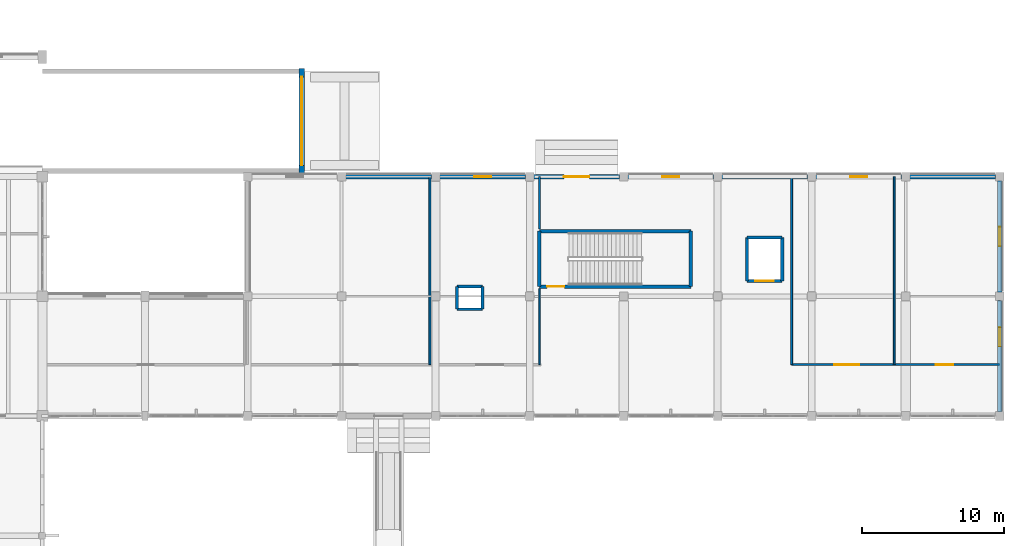
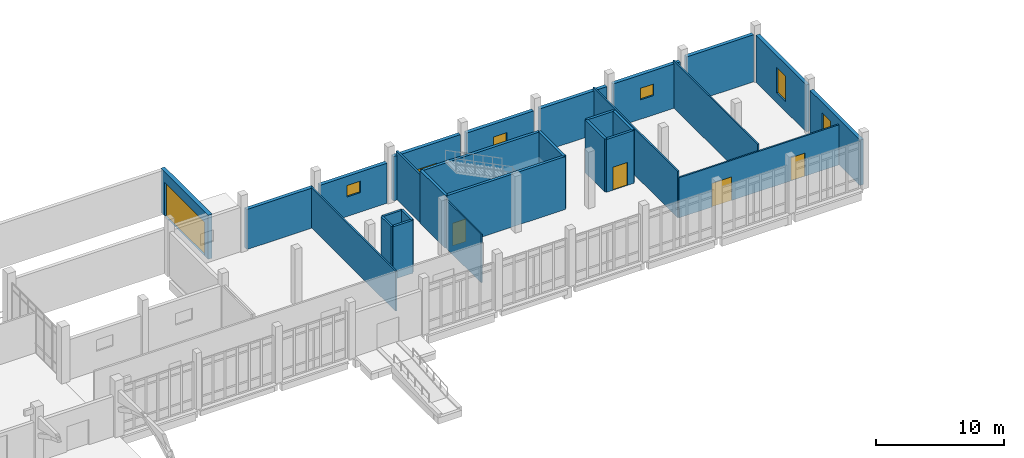
# One storey, part 97 of 110: 28 walls, 6 doors, 5 windows, 11 openings.
"""IFC4 building model written with IfcOpenShell, lengths in metres."""

from ifc_helpers import new_model, si_unit, direction, frame, frame_2d, origin, place, context, subcontext, project, spatial, rectangle, extrude, material, layer, layer_set, type_object, element, fill, save


model = new_model("IFC4")

# Units and contexts
model_context = context("Model", 3, precision=1e-05, world=origin(), true_north=direction((0.0, 1.0)))
body_context = subcontext(model_context, "Body", "Model", "MODEL_VIEW")
ifc_project = project(units=[si_unit("LENGTHUNIT", "METRE"), si_unit("AREAUNIT", "SQUARE_METRE"), si_unit("VOLUMEUNIT", "CUBIC_METRE"), si_unit("PLANEANGLEUNIT", "RADIAN"), si_unit("MASSUNIT", "GRAM", prefix="KILO")], contexts=[model_context])

# Site, building, storey
site_placement = place(None, origin())
site = spatial("IfcSite", under=ifc_project, at=site_placement, CompositionType="ELEMENT")
building_placement = place(site_placement, origin())
building = spatial("IfcBuilding", under=site, at=building_placement, Name="Kalluvel Institute of Natural Sciences", CompositionType="ELEMENT")
storey_placement = place(building_placement, origin())
storey = spatial("IfcBuildingStorey", under=building, at=storey_placement, Name="L00", CompositionType="ELEMENT", Elevation=0.0)

# Wall, opening, door
ifc_material_1 = material(Name="Concrete M40", Category="concrete")
ifc_layer_1 = layer(ifc_material_1, 0.25)
ifc_layer_set_1 = layer_set([ifc_layer_1], Name="Concrete M40")
wall_type_1 = type_object("IfcWallType", Name="WL-CORE-250", PredefinedType="SHEAR", material=ifc_layer_set_1)
wall_1_placement = place(storey_placement, frame((149.68505859375, 111.885009765625, 0.0), z_axis=(0.0, 0.0, 1.0), x_axis=(1.0, 0.0, 0.0)))
wall_1 = element("IfcWall", 1, at=wall_1_placement, inside=storey, type_object=wall_type_1, Name="ST5 L00 core wall S", PredefinedType="SHEAR", context=body_context, shape_type="SweptSolid", body=[
    extrude(rectangle(XDim=10.6298828125, YDim=0.25, at=frame_2d((5.31494140625, 0.0))), origin(), (0.0, 0.0, 1.0), 5.034912109375),
])
opening_1_placement = place(wall_1_placement, frame((0.550048828125, 0.0, 0.0)))
opening_1 = element("IfcOpeningElement", 2, at=opening_1_placement, cuts=wall_1, Name="Opening DS-044", PredefinedType="OPENING", context=body_context, shape_type="SweptSolid", body=[
    extrude(rectangle(XDim=1.199951171875, YDim=2.14990234375, at=frame_2d((0.60009765625, 1.074951171875))), frame((0.0, 0.135009765625, 0.0), z_axis=(0.0, -1.0, 0.0), x_axis=(1.0, 0.0, 0.0)), (0.0, 0.0, 1.0), 0.27001953125),
])
ifc_material_2 = material(Name="Galvanized Fire-Rated Steel", Category="steel")
door_type_1 = type_object("IfcDoorType", Name="DR-ST-1200", OperationType="NOTDEFINED", PredefinedType="DOOR", material=ifc_material_2)
door_1_placement = place(opening_1_placement, origin())
door_1 = element("IfcDoor", 3, at=door_1_placement, inside=storey, type_object=door_type_1, Name="ST5 L00 protected stair door DS-044", OperationType="SINGLE_SWING_RIGHT", OverallHeight=2.14990234375, OverallWidth=1.199951171875, PredefinedType="DOOR", context=body_context, shape_type="SweptSolid", body=[
    extrude(rectangle(XDim=1.199951171875, YDim=2.14990234375, at=frame_2d((0.60009765625, 1.074951171875))), frame((0.0, 0.02490234375, 0.0), z_axis=(0.0, -1.0, 0.0), x_axis=(1.0, 0.0, 0.0)), (0.0, 0.0, 1.0), 0.050048828125),
])
fill(opening_1, door_1)

# Walls
wall_2_placement = place(storey_placement, frame((160.31494140625, 111.885009765625, 0.0), z_axis=(0.0, 0.0, 1.0), x_axis=(0.0, 1.0, 0.0)))
element("IfcWall", 4, at=wall_2_placement, inside=storey, type_object=wall_type_1, Name="ST5 L00 core wall E", PredefinedType="SHEAR", context=body_context, shape_type="SweptSolid", body=[
    extrude(rectangle(XDim=3.89990234375, YDim=0.25, at=frame_2d((1.949951171875, 0.0))), origin(), (0.0, 0.0, 1.0), 5.034912109375),
])
wall_3_placement = place(storey_placement, frame((160.31494140625, 115.784912109375, 0.0), z_axis=(0.0, 0.0, 1.0), x_axis=(-1.0, 0.0, 0.0)))
element("IfcWall", 5, at=wall_3_placement, inside=storey, type_object=wall_type_1, Name="ST5 L00 core wall N", PredefinedType="SHEAR", context=body_context, shape_type="SweptSolid", body=[
    extrude(rectangle(XDim=10.6298828125, YDim=0.25, at=frame_2d((5.31494140625, 0.0))), origin(), (0.0, 0.0, 1.0), 5.034912109375),
])
wall_4_placement = place(storey_placement, frame((149.68505859375, 115.784912109375, 0.0), z_axis=(0.0, 0.0, 1.0), x_axis=(0.0, -1.0, 0.0)))
element("IfcWall", 6, at=wall_4_placement, inside=storey, type_object=wall_type_1, Name="ST5 L00 core wall W", PredefinedType="SHEAR", context=body_context, shape_type="SweptSolid", body=[
    extrude(rectangle(XDim=3.89990234375, YDim=0.25, at=frame_2d((1.949951171875, 0.0))), origin(), (0.0, 0.0, 1.0), 5.034912109375),
])
ifc_material_3 = material(Name="Sadarahalli Grey Granite Ashlar Concrete M40", Category="masonry")
ifc_layer_2 = layer(ifc_material_3, 0.320068359375)
ifc_layer_set_2 = layer_set([ifc_layer_2], Name="Sadarahalli Grey Granite Ashlar Concrete M40")
wall_type_2 = type_object("IfcWallType", Name="WL-EXT-320", PredefinedType="SOLIDWALL", material=ifc_layer_set_2)
wall_5_placement = place(storey_placement, frame((136.080078125, 119.60009765625, 0.0), z_axis=(0.0, 0.0, 1.0), x_axis=(1.0, 0.0, 0.0)))
element("IfcWall", 7, at=wall_5_placement, inside=storey, type_object=wall_type_2, Name="L00 Sadarahalli granite exterior wall WL-EXT-L00-0241", PredefinedType="SOLIDWALL", context=body_context, shape_type="SweptSolid", body=[
    extrude(rectangle(XDim=6.0400390625, YDim=0.320068359375, at=frame_2d((3.02001953125, 0.0))), origin(), (0.0, 0.0, 1.0), 3.81494140625),
])

# Wall, opening, window
wall_6_placement = place(storey_placement, frame((142.679931640625, 119.60009765625, 0.0), z_axis=(0.0, 0.0, 1.0), x_axis=(1.0, 0.0, 0.0)))
wall_6 = element("IfcWall", 8, at=wall_6_placement, inside=storey, type_object=wall_type_2, Name="L00 Sadarahalli granite exterior wall WL-EXT-L00-0242", PredefinedType="SOLIDWALL", context=body_context, shape_type="SweptSolid", body=[
    extrude(rectangle(XDim=6.0400390625, YDim=0.320068359375, at=frame_2d((3.02001953125, 0.0))), origin(), (0.0, 0.0, 1.0), 3.81494140625),
])
opening_2_placement = place(wall_6_placement, frame((2.419921875, 0.0, 1.85009765625)))
opening_2 = element("IfcOpeningElement", 9, at=opening_2_placement, cuts=wall_6, Name="Opening W-11", PredefinedType="OPENING", context=body_context, shape_type="SweptSolid", body=[
    extrude(rectangle(XDim=1.199951171875, YDim=1.10009765625, at=frame_2d((0.60009765625, 0.550048828125))), frame((0.0, 0.169921875, 0.0), z_axis=(0.0, -1.0, 0.0), x_axis=(1.0, 0.0, 0.0)), (0.0, 0.0, 1.0), 0.340087890625),
])
ifc_material_4 = material(Name="Solar-Control Low-E Laminated Glass", Category="glass")
window_type_1 = type_object("IfcWindowType", Name="WN-HIGH-120x110", PartitioningType="SINGLE_PANEL", PredefinedType="WINDOW", material=ifc_material_4)
window_1_placement = place(opening_2_placement, origin())
window_1 = element("IfcWindow", 10, at=window_1_placement, inside=storey, type_object=window_type_1, Name="L00 Gothic lancet window 47", OverallHeight=1.10009765625, OverallWidth=1.199951171875, PartitioningType="SINGLE_PANEL", PredefinedType="WINDOW", context=body_context, shape_type="SweptSolid", body=[
    extrude(rectangle(XDim=1.199951171875, YDim=1.10009765625, at=frame_2d((0.60009765625, 0.550048828125))), frame((0.0, 0.030029296875, 0.0), z_axis=(0.0, -1.0, 0.0), x_axis=(1.0, 0.0, 0.0)), (0.0, 0.0, 1.0), 0.06005859375),
])
fill(opening_2, window_1)

# Wall, opening, door
wall_7_placement = place(storey_placement, frame((149.280029296875, 119.60009765625, 0.0), z_axis=(0.0, 0.0, 1.0), x_axis=(1.0, 0.0, 0.0)))
wall_7 = element("IfcWall", 11, at=wall_7_placement, inside=storey, type_object=wall_type_2, Name="L00 Sadarahalli granite exterior wall WL-EXT-L00-0243", PredefinedType="SOLIDWALL", context=body_context, shape_type="SweptSolid", body=[
    extrude(rectangle(XDim=6.0400390625, YDim=0.320068359375, at=frame_2d((3.02001953125, 0.0))), origin(), (0.0, 0.0, 1.0), 4.215087890625),
])
opening_3_placement = place(wall_7_placement, frame((2.1201171875, 0.0, 0.0)))
opening_3 = element("IfcOpeningElement", 12, at=opening_3_placement, cuts=wall_7, Name="Opening E9", PredefinedType="OPENING", context=body_context, shape_type="SweptSolid", body=[
    extrude(rectangle(XDim=1.800048828125, YDim=2.25, at=frame_2d((0.89990234375, 1.125))), frame((0.0, 0.169921875, 0.0), z_axis=(0.0, -1.0, 0.0), x_axis=(1.0, 0.0, 0.0)), (0.0, 0.0, 1.0), 0.340087890625),
])
ifc_material_5 = material(Name="Steel E350 Grade 350", Category="steel")
door_type_2 = type_object("IfcDoorType", Name="DR-EXT-FD-1800", OperationType="NOTDEFINED", PredefinedType="DOOR", material=ifc_material_5)
door_2_placement = place(opening_3_placement, origin())
door_2 = element("IfcDoor", 13, at=door_2_placement, inside=storey, type_object=door_type_2, Name="Pedestrian exit door E9", OperationType="DOUBLE_DOOR_SINGLE_SWING", OverallHeight=2.25, OverallWidth=1.800048828125, PredefinedType="DOOR", context=body_context, shape_type="SweptSolid", body=[
    extrude(rectangle(XDim=1.800048828125, YDim=2.25, at=frame_2d((0.89990234375, 1.125))), frame((0.0, 0.02490234375, 0.0), z_axis=(0.0, -1.0, 0.0), x_axis=(1.0, 0.0, 0.0)), (0.0, 0.0, 1.0), 0.050048828125),
])
fill(opening_3, door_2)

# Wall, opening, window
wall_8_placement = place(storey_placement, frame((155.8798828125, 119.60009765625, 0.0), z_axis=(0.0, 0.0, 1.0), x_axis=(1.0, 0.0, 0.0)))
wall_8 = element("IfcWall", 14, at=wall_8_placement, inside=storey, type_object=wall_type_2, Name="L00 Sadarahalli granite exterior wall WL-EXT-L00-0244", PredefinedType="SOLIDWALL", context=body_context, shape_type="SweptSolid", body=[
    extrude(rectangle(XDim=6.0400390625, YDim=0.320068359375, at=frame_2d((3.02001953125, 0.0))), origin(), (0.0, 0.0, 1.0), 4.1650390625),
])
opening_4_placement = place(wall_8_placement, frame((2.419921875, 0.0, 1.85009765625)))
opening_4 = element("IfcOpeningElement", 15, at=opening_4_placement, cuts=wall_8, Name="Opening W-11", PredefinedType="OPENING", context=body_context, shape_type="SweptSolid", body=[
    extrude(rectangle(XDim=1.199951171875, YDim=1.10009765625, at=frame_2d((0.60009765625, 0.550048828125))), frame((0.0, 0.169921875, 0.0), z_axis=(0.0, -1.0, 0.0), x_axis=(1.0, 0.0, 0.0)), (0.0, 0.0, 1.0), 0.340087890625),
])
window_2_placement = place(opening_4_placement, origin())
window_2 = element("IfcWindow", 16, at=window_2_placement, inside=storey, type_object=window_type_1, Name="L00 Gothic lancet window 48", OverallHeight=1.10009765625, OverallWidth=1.199951171875, PartitioningType="SINGLE_PANEL", PredefinedType="WINDOW", context=body_context, shape_type="SweptSolid", body=[
    extrude(rectangle(XDim=1.199951171875, YDim=1.10009765625, at=frame_2d((0.60009765625, 0.550048828125))), frame((0.0, 0.030029296875, 0.0), z_axis=(0.0, -1.0, 0.0), x_axis=(1.0, 0.0, 0.0)), (0.0, 0.0, 1.0), 0.06005859375),
])
fill(opening_4, window_2)

# Wall
wall_9_placement = place(storey_placement, frame((162.47998046875, 119.60009765625, 0.0), z_axis=(0.0, 0.0, 1.0), x_axis=(1.0, 0.0, 0.0)))
element("IfcWall", 17, at=wall_9_placement, inside=storey, type_object=wall_type_2, Name="L00 Sadarahalli granite exterior wall WL-EXT-L00-0245", PredefinedType="SOLIDWALL", context=body_context, shape_type="SweptSolid", body=[
    extrude(rectangle(XDim=6.0400390625, YDim=0.320068359375, at=frame_2d((3.02001953125, 0.0))), origin(), (0.0, 0.0, 1.0), 4.1650390625),
])

# Wall, opening, window
wall_10_placement = place(storey_placement, frame((169.080078125, 119.60009765625, 0.0), z_axis=(0.0, 0.0, 1.0), x_axis=(1.0, 0.0, 0.0)))
wall_10 = element("IfcWall", 18, at=wall_10_placement, inside=storey, type_object=wall_type_2, Name="L00 Sadarahalli granite exterior wall WL-EXT-L00-0246", PredefinedType="SOLIDWALL", context=body_context, shape_type="SweptSolid", body=[
    extrude(rectangle(XDim=6.0400390625, YDim=0.320068359375, at=frame_2d((3.02001953125, 0.0))), origin(), (0.0, 0.0, 1.0), 4.215087890625),
])
opening_5_placement = place(wall_10_placement, frame((2.419921875, 0.0, 1.85009765625)))
opening_5 = element("IfcOpeningElement", 19, at=opening_5_placement, cuts=wall_10, Name="Opening W-11", PredefinedType="OPENING", context=body_context, shape_type="SweptSolid", body=[
    extrude(rectangle(XDim=1.199951171875, YDim=1.10009765625, at=frame_2d((0.60009765625, 0.550048828125))), frame((0.0, 0.169921875, 0.0), z_axis=(0.0, -1.0, 0.0), x_axis=(1.0, 0.0, 0.0)), (0.0, 0.0, 1.0), 0.340087890625),
])
window_3_placement = place(opening_5_placement, origin())
window_3 = element("IfcWindow", 20, at=window_3_placement, inside=storey, type_object=window_type_1, Name="L00 Gothic lancet window 49", OverallHeight=1.10009765625, OverallWidth=1.199951171875, PartitioningType="SINGLE_PANEL", PredefinedType="WINDOW", context=body_context, shape_type="SweptSolid", body=[
    extrude(rectangle(XDim=1.199951171875, YDim=1.10009765625, at=frame_2d((0.60009765625, 0.550048828125))), frame((0.0, 0.030029296875, 0.0), z_axis=(0.0, -1.0, 0.0), x_axis=(1.0, 0.0, 0.0)), (0.0, 0.0, 1.0), 0.06005859375),
])
fill(opening_5, window_3)

# Wall
wall_11_placement = place(storey_placement, frame((175.679931640625, 119.60009765625, 0.0), z_axis=(0.0, 0.0, 1.0), x_axis=(1.0, 0.0, 0.0)))
element("IfcWall", 21, at=wall_11_placement, inside=storey, type_object=wall_type_2, Name="L00 Sadarahalli granite exterior wall WL-EXT-L00-0247", PredefinedType="SOLIDWALL", context=body_context, shape_type="SweptSolid", body=[
    extrude(rectangle(XDim=6.0400390625, YDim=0.320068359375, at=frame_2d((3.02001953125, 0.0))), origin(), (0.0, 0.0, 1.0), 4.47998046875),
])

# Wall, opening, window
wall_12_placement = place(storey_placement, frame((182.0, 103.080078125, 0.0), z_axis=(0.0, 0.0, 1.0), x_axis=(0.0, 1.0, 0.0)))
wall_12 = element("IfcWall", 22, at=wall_12_placement, inside=storey, type_object=wall_type_2, Name="L00 Sadarahalli granite exterior wall WL-EXT-L00-0248", PredefinedType="SOLIDWALL", context=body_context, shape_type="SweptSolid", body=[
    extrude(rectangle(XDim=7.83984375, YDim=0.320068359375, at=frame_2d((3.919921875, 0.0))), origin(), (0.0, 0.0, 1.0), 4.31494140625),
])
opening_6_placement = place(wall_12_placement, frame((4.60009765625, 0.0, 0.949951171875)))
opening_6 = element("IfcOpeningElement", 23, at=opening_6_placement, cuts=wall_12, Name="Opening W-05", PredefinedType="OPENING", context=body_context, shape_type="SweptSolid", body=[
    extrude(rectangle(XDim=1.35009765625, YDim=2.39990234375, at=frame_2d((0.675048828125, 1.199951171875))), frame((0.0, 0.169921875, 0.0), z_axis=(0.0, -1.0, 0.0), x_axis=(1.0, 0.0, 0.0)), (0.0, 0.0, 1.0), 0.340087890625),
])
window_type_2 = type_object("IfcWindowType", Name="WN-LAN-135x240", PartitioningType="SINGLE_PANEL", PredefinedType="WINDOW", material=ifc_material_4)
window_4_placement = place(opening_6_placement, origin())
window_4 = element("IfcWindow", 24, at=window_4_placement, inside=storey, type_object=window_type_2, Name="L00 Gothic lancet window 50", OverallHeight=2.39990234375, OverallWidth=1.35009765625, PartitioningType="SINGLE_PANEL", PredefinedType="WINDOW", context=body_context, shape_type="SweptSolid", body=[
    extrude(rectangle(XDim=1.35009765625, YDim=2.39990234375, at=frame_2d((0.675048828125, 1.199951171875))), frame((0.0, 0.030029296875, 0.0), z_axis=(0.0, -1.0, 0.0), x_axis=(1.0, 0.0, 0.0)), (0.0, 0.0, 1.0), 0.06005859375),
])
fill(opening_6, window_4)

wall_13_placement = place(storey_placement, frame((182.0, 111.47998046875, 0.0), z_axis=(0.0, 0.0, 1.0), x_axis=(0.0, 1.0, 0.0)))
wall_13 = element("IfcWall", 25, at=wall_13_placement, inside=storey, type_object=wall_type_2, Name="L00 Sadarahalli granite exterior wall WL-EXT-L00-0249", PredefinedType="SOLIDWALL", context=body_context, shape_type="SweptSolid", body=[
    extrude(rectangle(XDim=7.840087890625, YDim=0.320068359375, at=frame_2d((3.919921875, 0.0))), origin(), (0.0, 0.0, 1.0), 4.47998046875),
])
opening_7_placement = place(wall_13_placement, frame((3.2451171875, 0.0, 0.949951171875)))
opening_7 = element("IfcOpeningElement", 26, at=opening_7_placement, cuts=wall_13, Name="Opening W-05", PredefinedType="OPENING", context=body_context, shape_type="SweptSolid", body=[
    extrude(rectangle(XDim=1.35009765625, YDim=2.39990234375, at=frame_2d((0.675048828125, 1.199951171875))), frame((0.0, 0.169921875, 0.0), z_axis=(0.0, -1.0, 0.0), x_axis=(1.0, 0.0, 0.0)), (0.0, 0.0, 1.0), 0.340087890625),
])
window_5_placement = place(opening_7_placement, origin())
window_5 = element("IfcWindow", 27, at=window_5_placement, inside=storey, type_object=window_type_2, Name="L00 Gothic lancet window 51", OverallHeight=2.39990234375, OverallWidth=1.35009765625, PartitioningType="SINGLE_PANEL", PredefinedType="WINDOW", context=body_context, shape_type="SweptSolid", body=[
    extrude(rectangle(XDim=1.35009765625, YDim=2.39990234375, at=frame_2d((0.675048828125, 1.199951171875))), frame((0.0, 0.030029296875, 0.0), z_axis=(0.0, -1.0, 0.0), x_axis=(1.0, 0.0, 0.0)), (0.0, 0.0, 1.0), 0.06005859375),
])
fill(opening_7, window_5)

# Wall, opening, door
ifc_layer_3 = layer(ifc_material_3, 0.360107421875)
ifc_layer_set_3 = layer_set([ifc_layer_3], Name="Sadarahalli Grey Granite Ashlar Concrete M40")
wall_type_3 = type_object("IfcWallType", Name="WL-EXT-360", PredefinedType="SOLIDWALL", material=ifc_layer_set_3)
wall_14_placement = place(storey_placement, frame((133.0, 119.800048828125, 0.0), z_axis=(0.0, 0.0, 1.0), x_axis=(0.0, 1.0, 0.0)))
wall_14 = element("IfcWall", 28, at=wall_14_placement, inside=storey, type_object=wall_type_3, Name="Vehicle ramp east portal headwall", PredefinedType="SOLIDWALL", context=body_context, shape_type="SweptSolid", body=[
    extrude(rectangle(XDim=7.39990234375, YDim=0.360107421875, at=frame_2d((3.699951171875, 0.0))), origin(), (0.0, 0.0, 1.0), 4.199951171875),
])
opening_8_placement = place(wall_14_placement, frame((0.60009765625, 0.0, 0.0)))
opening_8 = element("IfcOpeningElement", 29, at=opening_8_placement, cuts=wall_14, Name="Opening VD-01", PredefinedType="OPENING", context=body_context, shape_type="SweptSolid", body=[
    extrude(rectangle(XDim=6.199951171875, YDim=3.199951171875, at=frame_2d((3.10009765625, 1.60009765625))), frame((0.0, 0.18994140625, 0.0), z_axis=(0.0, -1.0, 0.0), x_axis=(1.0, 0.0, 0.0)), (0.0, 0.0, 1.0), 0.380126953125),
])
door_type_3 = type_object("IfcDoorType", Name="DR-VEH-6200", OperationType="NOTDEFINED", PredefinedType="DOOR", material=ifc_material_5)
door_3_placement = place(opening_8_placement, origin())
door_3 = element("IfcDoor", 30, at=door_3_placement, inside=storey, type_object=door_type_3, Name="Basement car park roller-shutter vehicle gate VD-01", OperationType="ROLLINGUP", OverallHeight=3.199951171875, OverallWidth=6.199951171875, PredefinedType="DOOR", context=body_context, shape_type="SweptSolid", body=[
    extrude(rectangle(XDim=6.199951171875, YDim=3.199951171875, at=frame_2d((3.10009765625, 1.60009765625))), frame((0.0, 0.02490234375, 0.0), z_axis=(0.0, -1.0, 0.0), x_axis=(1.0, 0.0, 0.0)), (0.0, 0.0, 1.0), 0.050048828125),
])
fill(opening_8, door_3)

# Walls
ifc_material_6 = material(Name="Acoustic Gypsum Twin-Stud Partition", Category="gypsum")
ifc_layer_4 = layer(ifc_material_6, 0.1201171875)
ifc_layer_set_4 = layer_set([ifc_layer_4], Name="Acoustic Gypsum Twin-Stud Partition")
wall_type_4 = type_object("IfcWallType", Name="WL-PART-120", PredefinedType="PARTITIONING", material=ifc_layer_set_4)
wall_15_placement = place(storey_placement, frame((149.699951171875, 106.39990234375, 0.0), z_axis=(0.0, 0.0, 1.0), x_axis=(0.0, 1.0, 0.0)))
element("IfcWall", 31, at=wall_15_placement, inside=storey, type_object=wall_type_4, Name="L00 interior partition wall WL-INT-L00-0071", PredefinedType="PARTITIONING", context=body_context, shape_type="SweptSolid", body=[
    extrude(rectangle(XDim=5.35009765625, YDim=0.1201171875, at=frame_2d((2.675048828125, 0.0))), origin(), (0.0, 0.0, 1.0), 4.6201171875),
])
wall_16_placement = place(storey_placement, frame((174.60009765625, 106.39990234375, 0.0), z_axis=(0.0, 0.0, 1.0), x_axis=(0.0, 1.0, 0.0)))
element("IfcWall", 32, at=wall_16_placement, inside=storey, type_object=wall_type_4, Name="L00 interior partition wall WL-INT-L00-0074", PredefinedType="PARTITIONING", context=body_context, shape_type="SweptSolid", body=[
    extrude(rectangle(XDim=13.2001953125, YDim=0.1201171875, at=frame_2d((6.60009765625, 0.0))), origin(), (0.0, 0.0, 1.0), 4.469970703125),
])

# Wall, openings, doors
ifc_layer_5 = layer(ifc_material_6, 0.139892578125)
ifc_layer_set_5 = layer_set([ifc_layer_5], Name="Acoustic Gypsum Twin-Stud Partition")
wall_type_5 = type_object("IfcWallType", Name="WL-PART-140", PredefinedType="PARTITIONING", material=ifc_layer_set_5)
wall_17_placement = place(storey_placement, frame((167.39990234375, 106.39990234375, 0.0), z_axis=(0.0, 0.0, 1.0), x_axis=(1.0, 0.0, 0.0)))
wall_17 = element("IfcWall", 33, at=wall_17_placement, inside=storey, type_object=wall_type_5, Name="L00 interior partition wall WL-INT-L00-0067", PredefinedType="PARTITIONING", context=body_context, shape_type="SweptSolid", body=[
    extrude(rectangle(XDim=14.60009765625, YDim=0.139892578125, at=frame_2d((7.300048828125, 0.0))), origin(), (0.0, 0.0, 1.0), 3.820068359375),
])
opening_9_placement = place(wall_17_placement, frame((3.0, 0.0, 0.0)))
opening_9 = element("IfcOpeningElement", 34, at=opening_9_placement, cuts=wall_17, Name="Opening D-087", PredefinedType="OPENING", context=body_context, shape_type="SweptSolid", body=[
    extrude(rectangle(XDim=1.75, YDim=2.25, at=frame_2d((0.875, 1.125))), frame((0.0, 0.079833984375, 0.0), z_axis=(0.0, -1.0, 0.0), x_axis=(1.0, 0.0, 0.0)), (0.0, 0.0, 1.0), 0.159912109375),
])
opening_10_placement = place(wall_17_placement, frame((10.10009765625, 0.0, 0.0)))
opening_10 = element("IfcOpeningElement", 35, at=opening_10_placement, cuts=wall_17, Name="Opening D-088", PredefinedType="OPENING", context=body_context, shape_type="SweptSolid", body=[
    extrude(rectangle(XDim=1.25, YDim=2.199951171875, at=frame_2d((0.625, 1.10009765625))), frame((0.0, 0.079833984375, 0.0), z_axis=(0.0, -1.0, 0.0), x_axis=(1.0, 0.0, 0.0)), (0.0, 0.0, 1.0), 0.159912109375),
])
ifc_material_7 = material(Name="Aluminium AW-6063 T6", Category="aluminium")
door_type_4 = type_object("IfcDoorType", Name="DR-DBL-1750", OperationType="NOTDEFINED", PredefinedType="DOOR", material=ifc_material_7)
door_4_placement = place(opening_9_placement, origin())
door_4 = element("IfcDoor", 36, at=door_4_placement, inside=storey, type_object=door_type_4, Name="ISO Class 6 Bio-MEMS Nanofabrication Cleanroom door D-087", OperationType="DOUBLE_DOOR_SINGLE_SWING", OverallHeight=2.25, OverallWidth=1.75, PredefinedType="DOOR", context=body_context, shape_type="SweptSolid", body=[
    extrude(rectangle(XDim=1.75, YDim=2.25, at=frame_2d((0.875, 1.125))), frame((0.0, 0.02490234375, 0.0), z_axis=(0.0, -1.0, 0.0), x_axis=(1.0, 0.0, 0.0)), (0.0, 0.0, 1.0), 0.050048828125),
])
fill(opening_9, door_4)
ifc_material_8 = material(Name="Engineered Hardwood Acoustic Leaf", Category="wood")
door_type_5 = type_object("IfcDoorType", Name="DR-INT-1250", OperationType="NOTDEFINED", PredefinedType="DOOR", material=ifc_material_8)
door_5_placement = place(opening_10_placement, origin())
door_5 = element("IfcDoor", 37, at=door_5_placement, inside=storey, type_object=door_type_5, Name="Metrology and Atomic Force Microscopy Cleanroom door D-088", OperationType="SINGLE_SWING_LEFT", OverallHeight=2.199951171875, OverallWidth=1.25, PredefinedType="DOOR", context=body_context, shape_type="SweptSolid", body=[
    extrude(rectangle(XDim=1.25, YDim=2.199951171875, at=frame_2d((0.625, 1.10009765625))), frame((0.0, 0.02490234375, 0.0), z_axis=(0.0, -1.0, 0.0), x_axis=(1.0, 0.0, 0.0)), (0.0, 0.0, 1.0), 0.050048828125),
])
fill(opening_10, door_5)

# Walls
wall_18_placement = place(storey_placement, frame((142.0, 106.39990234375, 0.0), z_axis=(0.0, 0.0, 1.0), x_axis=(0.0, 1.0, 0.0)))
element("IfcWall", 38, at=wall_18_placement, inside=storey, type_object=wall_type_5, Name="L00 interior partition wall WL-INT-L00-0070", PredefinedType="PARTITIONING", context=body_context, shape_type="SweptSolid", body=[
    extrude(rectangle(XDim=13.2001953125, YDim=0.139892578125, at=frame_2d((6.60009765625, 0.0))), origin(), (0.0, 0.0, 1.0), 3.820068359375),
])
wall_19_placement = place(storey_placement, frame((167.39990234375, 106.39990234375, 0.0), z_axis=(0.0, 0.0, 1.0), x_axis=(0.0, 1.0, 0.0)))
element("IfcWall", 39, at=wall_19_placement, inside=storey, type_object=wall_type_5, Name="L00 interior partition wall WL-INT-L00-0073", PredefinedType="PARTITIONING", context=body_context, shape_type="SweptSolid", body=[
    extrude(rectangle(XDim=13.2001953125, YDim=0.139892578125, at=frame_2d((6.60009765625, 0.0))), origin(), (0.0, 0.0, 1.0), 4.419921875),
])
ifc_material_9 = material(Name="Autoclaved Aerated Concrete Masonry Block", Category="masonry")
ifc_layer_6 = layer(ifc_material_9, 0.159912109375)
ifc_layer_set_6 = layer_set([ifc_layer_6], Name="Autoclaved Aerated Concrete Masonry Block")
wall_type_6 = type_object("IfcWallType", Name="WL-PART-160", PredefinedType="PARTITIONING", material=ifc_layer_set_6)
wall_20_placement = place(storey_placement, frame((149.699951171875, 115.919921875, 0.0), z_axis=(0.0, 0.0, 1.0), x_axis=(0.0, 1.0, 0.0)))
element("IfcWall", 40, at=wall_20_placement, inside=storey, type_object=wall_type_6, Name="L00 interior partition wall WL-INT-L00-0072", PredefinedType="PARTITIONING", context=body_context, shape_type="SweptSolid", body=[
    extrude(rectangle(XDim=3.68017578125, YDim=0.159912109375, at=frame_2d((1.840087890625, 0.0))), origin(), (0.0, 0.0, 1.0), 4.570068359375),
])
ifc_layer_7 = layer(ifc_material_1, 0.199951171875)
ifc_layer_set_7 = layer_set([ifc_layer_7], Name="Concrete M40")
wall_type_7 = type_object("IfcWallType", Name="WL-RISER-200", PredefinedType="SHEAR", material=ifc_layer_set_7)
wall_21_placement = place(storey_placement, frame((143.89990234375, 110.300048828125, 0.0), z_axis=(0.0, 0.0, 1.0), x_axis=(1.0, 0.0, 0.0)))
element("IfcWall", 41, at=wall_21_placement, inside=storey, type_object=wall_type_7, Name="RS-CLN L00 service riser enclosure S", PredefinedType="SHEAR", context=body_context, shape_type="SweptSolid", body=[
    extrude(rectangle(XDim=1.800048828125, YDim=0.199951171875, at=frame_2d((0.89990234375, 0.0))), origin(), (0.0, 0.0, 1.0), 5.0400390625),
])
wall_22_placement = place(storey_placement, frame((145.699951171875, 110.300048828125, 0.0), z_axis=(0.0, 0.0, 1.0), x_axis=(0.0, 1.0, 0.0)))
element("IfcWall", 42, at=wall_22_placement, inside=storey, type_object=wall_type_7, Name="RS-CLN L00 service riser enclosure E", PredefinedType="SHEAR", context=body_context, shape_type="SweptSolid", body=[
    extrude(rectangle(XDim=1.599853515625, YDim=0.199951171875, at=frame_2d((0.7998046875, 0.0))), origin(), (0.0, 0.0, 1.0), 5.0400390625),
])
wall_23_placement = place(storey_placement, frame((145.699951171875, 111.89990234375, 0.0), z_axis=(0.0, 0.0, 1.0), x_axis=(-1.0, 0.0, 0.0)))
element("IfcWall", 43, at=wall_23_placement, inside=storey, type_object=wall_type_7, Name="RS-CLN L00 service riser enclosure N", PredefinedType="SHEAR", context=body_context, shape_type="SweptSolid", body=[
    extrude(rectangle(XDim=1.800048828125, YDim=0.199951171875, at=frame_2d((0.89990234375, 0.0))), origin(), (0.0, 0.0, 1.0), 5.0400390625),
])
wall_24_placement = place(storey_placement, frame((143.89990234375, 111.89990234375, 0.0), z_axis=(0.0, 0.0, 1.0), x_axis=(0.0, -1.0, 0.0)))
element("IfcWall", 44, at=wall_24_placement, inside=storey, type_object=wall_type_7, Name="RS-CLN L00 service riser enclosure W", PredefinedType="SHEAR", context=body_context, shape_type="SweptSolid", body=[
    extrude(rectangle(XDim=1.599853515625, YDim=0.199951171875, at=frame_2d((0.7998046875, 0.0))), origin(), (0.0, 0.0, 1.0), 5.0400390625),
])

# Wall, opening, door
ifc_layer_8 = layer(ifc_material_1, 0.219970703125)
ifc_layer_set_8 = layer_set([ifc_layer_8], Name="Concrete M40")
wall_type_8 = type_object("IfcWallType", Name="WL-SHAFT-220", PredefinedType="SHEAR", material=ifc_layer_set_8)
wall_25_placement = place(storey_placement, frame((164.27001953125, 112.27001953125, 0.0), z_axis=(0.0, 0.0, 1.0), x_axis=(1.0, 0.0, 0.0)))
wall_25 = element("IfcWall", 45, at=wall_25_placement, inside=storey, type_object=wall_type_8, Name="LF5 L00 lift shaft wall", PredefinedType="SHEAR", context=body_context, shape_type="SweptSolid", body=[
    extrude(rectangle(XDim=2.4599609375, YDim=0.219970703125, at=frame_2d((1.22998046875, 0.0))), origin(), (0.0, 0.0, 1.0), 5.034912109375),
])
opening_11_placement = place(wall_25_placement, frame((0.580078125, 0.0, 0.0)))
opening_11 = element("IfcOpeningElement", 46, at=opening_11_placement, cuts=wall_25, Name="Opening LD-041", PredefinedType="OPENING", context=body_context, shape_type="SweptSolid", body=[
    extrude(rectangle(XDim=1.300048828125, YDim=2.199951171875, at=frame_2d((0.64990234375, 1.10009765625))), frame((0.0, 0.119873046875, 0.0), z_axis=(0.0, -1.0, 0.0), x_axis=(1.0, 0.0, 0.0)), (0.0, 0.0, 1.0), 0.239990234375),
])
door_type_6 = type_object("IfcDoorType", Name="DR-LD-1300", OperationType="NOTDEFINED", PredefinedType="DOOR", material=ifc_material_2)
door_6_placement = place(opening_11_placement, origin())
door_6 = element("IfcDoor", 47, at=door_6_placement, inside=storey, type_object=door_type_6, Name="LF5 L00 sliding lift landing door LD-041", OperationType="DOUBLE_DOOR_SLIDING", OverallHeight=2.199951171875, OverallWidth=1.300048828125, PredefinedType="DOOR", context=body_context, shape_type="SweptSolid", body=[
    extrude(rectangle(XDim=1.300048828125, YDim=2.199951171875, at=frame_2d((0.64990234375, 1.10009765625))), frame((0.0, 0.02490234375, 0.0), z_axis=(0.0, -1.0, 0.0), x_axis=(1.0, 0.0, 0.0)), (0.0, 0.0, 1.0), 0.050048828125),
])
fill(opening_11, door_6)

# Walls
wall_26_placement = place(storey_placement, frame((166.72998046875, 112.27001953125, 0.0), z_axis=(0.0, 0.0, 1.0), x_axis=(0.0, 1.0, 0.0)))
element("IfcWall", 48, at=wall_26_placement, inside=storey, type_object=wall_type_8, Name="LF5 L00 lift shaft wall", PredefinedType="SHEAR", context=body_context, shape_type="SweptSolid", body=[
    extrude(rectangle(XDim=3.06005859375, YDim=0.219970703125, at=frame_2d((1.530029296875, 0.0))), origin(), (0.0, 0.0, 1.0), 5.034912109375),
])
wall_27_placement = place(storey_placement, frame((166.72998046875, 115.330078125, 0.0), z_axis=(0.0, 0.0, 1.0), x_axis=(-1.0, 0.0, 0.0)))
element("IfcWall", 49, at=wall_27_placement, inside=storey, type_object=wall_type_8, Name="LF5 L00 lift shaft wall", PredefinedType="SHEAR", context=body_context, shape_type="SweptSolid", body=[
    extrude(rectangle(XDim=2.4599609375, YDim=0.219970703125, at=frame_2d((1.22998046875, 0.0))), origin(), (0.0, 0.0, 1.0), 5.034912109375),
])
wall_28_placement = place(storey_placement, frame((164.27001953125, 115.330078125, 0.0), z_axis=(0.0, 0.0, 1.0), x_axis=(0.0, -1.0, 0.0)))
element("IfcWall", 50, at=wall_28_placement, inside=storey, type_object=wall_type_8, Name="LF5 L00 lift shaft wall", PredefinedType="SHEAR", context=body_context, shape_type="SweptSolid", body=[
    extrude(rectangle(XDim=3.06005859375, YDim=0.219970703125, at=frame_2d((1.530029296875, 0.0))), origin(), (0.0, 0.0, 1.0), 5.034912109375),
])

save(model, "model.ifc")
